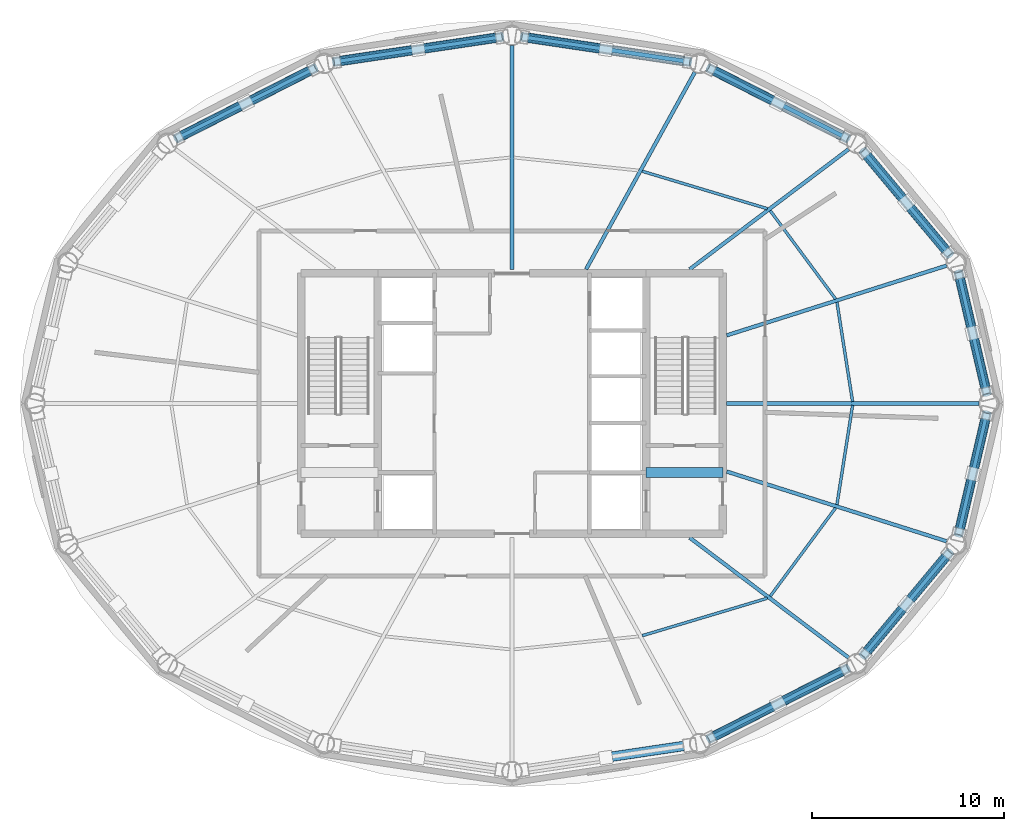
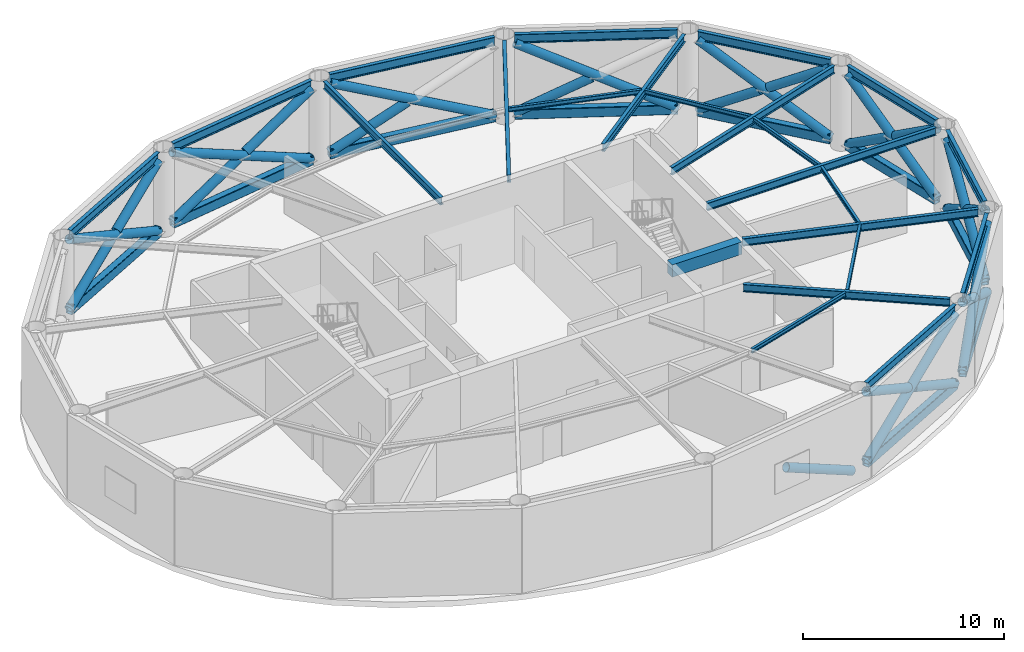
# One storey, part 2 of 7: 35 members, 23 beams.
"""IFC4 building model written with IfcOpenShell, lengths in metres."""

from ifc_helpers import new_model, si_unit, direction, frame, origin, origin_2d, place, context, subcontext, project, spatial, rectangle, hollow_rectangle, hollow_circle, i_section, extrude, material, material_profile, profile_set, type_object, element, save


model = new_model("IFC4")

# Units and contexts
model_context = context("Model", 3, precision=1e-05, world=origin(), true_north=direction((0.0, 1.0)))
body_context = subcontext(model_context, "Body", "Model", "MODEL_VIEW")
ifc_project = project(units=[si_unit("LENGTHUNIT", "METRE"), si_unit("AREAUNIT", "SQUARE_METRE"), si_unit("VOLUMEUNIT", "CUBIC_METRE"), si_unit("PLANEANGLEUNIT", "RADIAN"), si_unit("MASSUNIT", "GRAM", prefix="KILO")], contexts=[model_context])

# Site, building, storey
site_placement = place(None, origin())
site = spatial("IfcSite", under=ifc_project, at=site_placement, CompositionType="ELEMENT")
building_placement = place(site_placement, origin())
building = spatial("IfcBuilding", under=site, at=building_placement, Name="Sarneth Arch Tower", CompositionType="ELEMENT")
storey_placement = place(building_placement, frame((0.0, 0.0, 256.800048828125)))
storey = spatial("IfcBuildingStorey", under=building, at=storey_placement, Name="L66", CompositionType="ELEMENT", Elevation=256.800048828125)

# Beams
ifc_material_1 = material(Name="Steel S355", Category="steel")
ifc_material_profile_1 = material_profile(ifc_material_1, i_section(OverallWidth=0.14794921875, OverallDepth=0.26611328125, WebThickness=0.007568359375, FlangeThickness=0.012939453125, FilletRadius=0.012939453125, at=origin_2d()), Name="W250x44.8")
ifc_profile_set_1 = profile_set([ifc_material_profile_1], Name="Steel S355")
beam_type_1 = type_object("IfcBeamType", Name="BM-JOIST-250", PredefinedType="JOIST", material=ifc_profile_set_1)
beam_1_placement = place(storey_placement, frame((65.76416015625, 42.0947265625, 5.036865234375), z_axis=(-0.155393595615, 0.987852635995, 0.0), x_axis=(-0.987852635995, -0.155393595615, 0.0)))
element("IfcBeam", 1, at=beam_1_placement, inside=storey, type_object=beam_type_1, Name="L66 Secondary floor joist 01", PredefinedType="JOIST", context=body_context, shape_type="SweptSolid", body=[
    extrude(i_section(OverallWidth=0.14794921875, OverallDepth=0.26611328125, WebThickness=0.007568359375, FlangeThickness=0.012939453125, FilletRadius=0.012939453125, at=origin_2d()), origin(), (0.0, 0.0, 1.0), 5.244384765625),
])
beam_2_placement = place(storey_placement, frame((64.877197265625, 47.447509765625, 5.036865234375), z_axis=(-0.594853468946, 0.803834156081, 0.0), x_axis=(-0.803834156081, -0.594853468946, 0.0)))
element("IfcBeam", 2, at=beam_2_placement, inside=storey, type_object=beam_type_1, Name="L66 Secondary floor joist 02", PredefinedType="JOIST", context=body_context, shape_type="SweptSolid", body=[
    extrude(i_section(OverallWidth=0.14794921875, OverallDepth=0.26611328125, WebThickness=0.007568359375, FlangeThickness=0.012939453125, FilletRadius=0.012939453125, at=origin_2d()), origin(), (0.0, 0.0, 1.0), 5.72900390625),
])
for number, where, z_axis, x_axis, name in (
    (3, (61.320068359375, 52.157470703125, 5.036865234375), (-0.957984908347, 0.286818610589, 0.0), (-0.286818610589, -0.957984908347, 0.0), "L66 Secondary floor joist 03"),
    (4, (54.79248046875, 29.88818359375, 5.036865234375), (0.957984908347, 0.286818610589, 0.0), (-0.286818610589, 0.957984908347, 0.0), "L66 Secondary floor joist 14"),
):
    element("IfcBeam", number, at=place(storey_placement, frame(where, z_axis=z_axis, x_axis=x_axis)), inside=storey, type_object=beam_type_1, Name=name, PredefinedType="JOIST", context=body_context, shape_type="SweptSolid", body=[
        extrude(i_section(OverallWidth=0.14794921875, OverallDepth=0.26611328125, WebThickness=0.007568359375, FlangeThickness=0.012939453125, FilletRadius=0.012939453125, at=origin_2d()), origin(), (0.0, 0.0, 1.0), 6.81396484375),
    ])
beam_3_placement = place(storey_placement, frame((61.46923828125, 31.947265625, 5.036865234375), z_axis=(0.594853468946, 0.803834156081, 0.0), x_axis=(-0.803834156081, 0.594853468946, 0.0)))
element("IfcBeam", 5, at=beam_3_placement, inside=storey, type_object=beam_type_1, Name="L66 Secondary floor joist 15", PredefinedType="JOIST", context=body_context, shape_type="SweptSolid", body=[
    extrude(i_section(OverallWidth=0.14794921875, OverallDepth=0.26611328125, WebThickness=0.007568359375, FlangeThickness=0.012939453125, FilletRadius=0.012939453125, at=origin_2d()), origin(), (0.0, 0.0, 1.0), 5.72900390625),
])
beam_4_placement = place(storey_placement, frame((64.94921875, 36.724609375, 5.036865234375), z_axis=(0.155393595615, 0.987852635995, 0.0), x_axis=(-0.987852635995, 0.155393595615, 0.0)))
element("IfcBeam", 6, at=beam_4_placement, inside=storey, type_object=beam_type_1, Name="L66 Secondary floor joist 16", PredefinedType="JOIST", context=body_context, shape_type="SweptSolid", body=[
    extrude(i_section(OverallWidth=0.14794921875, OverallDepth=0.26611328125, WebThickness=0.007568359375, FlangeThickness=0.012939453125, FilletRadius=0.012939453125, at=origin_2d()), origin(), (0.0, 0.0, 1.0), 5.244384765625),
])
ifc_material_2 = material(Name="Concrete C50/60", Category="concrete")
ifc_material_profile_2 = material_profile(ifc_material_2, rectangle(XDim=0.5, YDim=0.75, at=origin_2d()), Name="RC-500x750")
ifc_profile_set_2 = profile_set([ifc_material_profile_2], Name="Concrete C50/60")
beam_type_2 = type_object("IfcBeamType", Name="BM-LINTEL-RC", PredefinedType="LINTEL", material=ifc_profile_set_2)
beam_5_placement = place(storey_placement, frame((55.0, 38.39990234375, 4.794921875), z_axis=(1.0, 0.0, 0.0), x_axis=(0.0, 1.0, 0.0)))
element("IfcBeam", 7, at=beam_5_placement, inside=storey, type_object=beam_type_2, Name="L66 Core coupling lintel E", PredefinedType="LINTEL", context=body_context, shape_type="SweptSolid", body=[
    extrude(rectangle(XDim=0.5, YDim=0.75, at=origin_2d()), origin(), (0.0, 0.0, 1.0), 4.0),
])
ifc_material_3 = material(Name="Steel S355", Category="steel")
ifc_material_profile_3 = material_profile(ifc_material_3, i_section(OverallWidth=0.19189453125, OverallDepth=0.462890625, WebThickness=0.010498046875, FlangeThickness=0.017578125, FilletRadius=0.01806640625, at=origin_2d()), Name="W460x89")
ifc_profile_set_3 = profile_set([ifc_material_profile_3], Name="Steel S355")
beam_type_3 = type_object("IfcBeamType", Name="BM-RAD-460B", PredefinedType="BEAM", material=ifc_profile_set_3)
beam_6_placement = place(storey_placement, frame((59.199951171875, 42.0, 4.9384765625), z_axis=(1.0, 0.0, 0.0), x_axis=(0.0, 1.0, 0.0)))
element("IfcBeam", 8, at=beam_6_placement, inside=storey, type_object=beam_type_3, Name="L66 Radial floor girder 01", PredefinedType="BEAM", context=body_context, shape_type="SweptSolid", body=[
    extrude(i_section(OverallWidth=0.19189453125, OverallDepth=0.462890625, WebThickness=0.010498046875, FlangeThickness=0.017578125, FilletRadius=0.01806640625, at=origin_2d()), origin(), (0.0, 0.0, 1.0), 13.158203125),
])
beam_7_placement = place(storey_placement, frame((59.199951171875, 45.5517578125, 4.9384765625), z_axis=(0.953216092177, 0.302289731243, 0.0), x_axis=(-0.302289731243, 0.953216092177, 0.0)))
element("IfcBeam", 9, at=beam_7_placement, inside=storey, type_object=beam_type_3, Name="L66 Radial floor girder 02", PredefinedType="BEAM", context=body_context, shape_type="SweptSolid", body=[
    extrude(i_section(OverallWidth=0.19189453125, OverallDepth=0.462890625, WebThickness=0.010498046875, FlangeThickness=0.017578125, FilletRadius=0.01806640625, at=origin_2d()), origin(), (0.0, 0.0, 1.0), 12.031494140625),
])
beam_8_placement = place(storey_placement, frame((57.26806640625, 49.0, 4.9384765625), z_axis=(0.79797308069, 0.60269309146, 0.0), x_axis=(-0.60269309146, 0.79797308069, 0.0)))
element("IfcBeam", 10, at=beam_8_placement, inside=storey, type_object=beam_type_3, Name="L66 Radial floor girder 03", PredefinedType="BEAM", context=body_context, shape_type="SweptSolid", body=[
    extrude(i_section(OverallWidth=0.19189453125, OverallDepth=0.462890625, WebThickness=0.010498046875, FlangeThickness=0.017578125, FilletRadius=0.01806640625, at=origin_2d()), origin(), (0.0, 0.0, 1.0), 10.38671875),
])
beam_9_placement = place(storey_placement, frame((51.86376953125, 49.0, 4.9384765625), z_axis=(0.483225760768, 0.875495781903, 0.0), x_axis=(-0.875495781903, 0.483225760768, 0.0)))
element("IfcBeam", 11, at=beam_9_placement, inside=storey, type_object=beam_type_3, Name="L66 Radial floor girder 04", PredefinedType="BEAM", context=body_context, shape_type="SweptSolid", body=[
    extrude(i_section(OverallWidth=0.19189453125, OverallDepth=0.462890625, WebThickness=0.010498046875, FlangeThickness=0.017578125, FilletRadius=0.01806640625, at=origin_2d()), origin(), (0.0, 0.0, 1.0), 11.740478515625),
])
beam_10_placement = place(storey_placement, frame((48.0, 49.0, 4.9384765625), z_axis=(0.0, 1.0, 0.0), x_axis=(-1.0, 0.0, 0.0)))
element("IfcBeam", 12, at=beam_10_placement, inside=storey, type_object=beam_type_3, Name="L66 Radial floor girder 05", PredefinedType="BEAM", context=body_context, shape_type="SweptSolid", body=[
    extrude(i_section(OverallWidth=0.19189453125, OverallDepth=0.462890625, WebThickness=0.010498046875, FlangeThickness=0.017578125, FilletRadius=0.01806640625, at=origin_2d()), origin(), (0.0, 0.0, 1.0), 11.675048828125),
])
beam_11_placement = place(storey_placement, frame((57.26806640625, 35.0, 4.9384765625), z_axis=(0.79797308069, -0.60269309146, 0.0), x_axis=(0.60269309146, 0.79797308069, 0.0)))
element("IfcBeam", 13, at=beam_11_placement, inside=storey, type_object=beam_type_3, Name="L66 Radial floor girder 15", PredefinedType="BEAM", context=body_context, shape_type="SweptSolid", body=[
    extrude(i_section(OverallWidth=0.19189453125, OverallDepth=0.462890625, WebThickness=0.010498046875, FlangeThickness=0.017578125, FilletRadius=0.01806640625, at=origin_2d()), origin(), (0.0, 0.0, 1.0), 10.38671875),
])
beam_12_placement = place(storey_placement, frame((59.199951171875, 38.4482421875, 4.9384765625), z_axis=(0.953216092177, -0.302289731243, 0.0), x_axis=(0.302289731243, 0.953216092177, 0.0)))
element("IfcBeam", 14, at=beam_12_placement, inside=storey, type_object=beam_type_3, Name="L66 Radial floor girder 16", PredefinedType="BEAM", context=body_context, shape_type="SweptSolid", body=[
    extrude(i_section(OverallWidth=0.19189453125, OverallDepth=0.462890625, WebThickness=0.010498046875, FlangeThickness=0.017578125, FilletRadius=0.01806640625, at=origin_2d()), origin(), (0.0, 0.0, 1.0), 12.031494140625),
])
ifc_material_4 = material(Name="Steel S355", Category="steel")
ifc_material_profile_4 = material_profile(ifc_material_4, i_section(OverallWidth=0.2109375, OverallDepth=0.5390625, WebThickness=0.01171875, FlangeThickness=0.018798828125, FilletRadius=0.01806640625, at=origin_2d()), Name="W530x109")
ifc_profile_set_4 = profile_set([ifc_material_profile_4], Name="Steel S355")
beam_type_4 = type_object("IfcBeamType", Name="BM-RAD-530B", PredefinedType="BEAM", material=ifc_profile_set_4)
beam_13_placement = place(storey_placement, frame((72.763916015625, 42.51123046875, 4.900390625), z_axis=(-0.227230803906, 0.973840932471, 0.0), x_axis=(-0.973840932471, -0.227230803906, 0.0)))
element("IfcBeam", 15, at=beam_13_placement, inside=storey, type_object=beam_type_4, Name="L66 Perimeter spandrel beam 01", PredefinedType="BEAM", context=body_context, shape_type="SweptSolid", body=[
    extrude(i_section(OverallWidth=0.2109375, OverallDepth=0.5390625, WebThickness=0.01171875, FlangeThickness=0.018798828125, FilletRadius=0.01806640625, at=origin_2d()), origin(), (0.0, 0.0, 1.0), 6.494873046875),
])
beam_14_placement = place(storey_placement, frame((70.83251953125, 49.750732421875, 4.900390625), z_axis=(-0.640364654985, 0.76807103099, 0.0), x_axis=(-0.76807103099, -0.640364654985, 0.0)))
element("IfcBeam", 16, at=beam_14_placement, inside=storey, type_object=beam_type_4, Name="L66 Perimeter spandrel beam 02", PredefinedType="BEAM", context=body_context, shape_type="SweptSolid", body=[
    extrude(i_section(OverallWidth=0.2109375, OverallDepth=0.5390625, WebThickness=0.01171875, FlangeThickness=0.018798828125, FilletRadius=0.01806640625, at=origin_2d()), origin(), (0.0, 0.0, 1.0), 7.06005859375),
])
beam_15_placement = place(storey_placement, frame((65.50732421875, 55.814453125, 4.900390625), z_axis=(-0.891368271482, 0.453279830342, 0.0), x_axis=(-0.453279830342, -0.891368271482, 0.0)))
element("IfcBeam", 17, at=beam_15_placement, inside=storey, type_object=beam_type_4, Name="L66 Perimeter spandrel beam 03", PredefinedType="BEAM", context=body_context, shape_type="SweptSolid", body=[
    extrude(i_section(OverallWidth=0.2109375, OverallDepth=0.5390625, WebThickness=0.01171875, FlangeThickness=0.018798828125, FilletRadius=0.01806640625, at=origin_2d()), origin(), (0.0, 0.0, 1.0), 8.1318359375),
])
for number, where, z_axis, x_axis, name in (
    (18, (57.271484375, 59.81591796875, 4.900390625), (-0.989038715098, 0.147656425652, 0.0), (-0.147656425652, -0.989038715098, 0.0), "L66 Perimeter spandrel beam 04"),
    (19, (47.480712890625, 61.12255859375, 4.900390625), (-0.989038715098, -0.147656425652, 0.0), (0.147656425652, -0.989038715098, 0.0), "L66 Perimeter spandrel beam 05"),
):
    element("IfcBeam", number, at=place(storey_placement, frame(where, z_axis=z_axis, x_axis=x_axis)), inside=storey, type_object=beam_type_4, Name=name, PredefinedType="BEAM", context=body_context, shape_type="SweptSolid", body=[
        extrude(i_section(OverallWidth=0.2109375, OverallDepth=0.5390625, WebThickness=0.01171875, FlangeThickness=0.018798828125, FilletRadius=0.01806640625, at=origin_2d()), origin(), (0.0, 0.0, 1.0), 8.84912109375),
    ])
for number, where, z_axis, x_axis, name in (
    (20, (37.7412109375, 59.50048828125, 4.900390625), (-0.891368271482, -0.453279830342, 0.0), (0.453279830342, -0.891368271482, 0.0), "L66 Perimeter spandrel beam 06"),
    (21, (58.2587890625, 24.49951171875, 4.900390625), (0.891368271482, 0.453279830342, 0.0), (-0.453279830342, 0.891368271482, 0.0), "L66 Perimeter spandrel beam 14"),
):
    element("IfcBeam", number, at=place(storey_placement, frame(where, z_axis=z_axis, x_axis=x_axis)), inside=storey, type_object=beam_type_4, Name=name, PredefinedType="BEAM", context=body_context, shape_type="SweptSolid", body=[
        extrude(i_section(OverallWidth=0.2109375, OverallDepth=0.5390625, WebThickness=0.01171875, FlangeThickness=0.018798828125, FilletRadius=0.01806640625, at=origin_2d()), origin(), (0.0, 0.0, 1.0), 8.1318359375),
    ])
beam_16_placement = place(storey_placement, frame((66.3115234375, 28.82666015625, 4.900390625), z_axis=(0.640364654985, 0.76807103099, 0.0), x_axis=(-0.76807103099, 0.640364654985, 0.0)))
element("IfcBeam", 22, at=beam_16_placement, inside=storey, type_object=beam_type_4, Name="L66 Perimeter spandrel beam 15", PredefinedType="BEAM", context=body_context, shape_type="SweptSolid", body=[
    extrude(i_section(OverallWidth=0.2109375, OverallDepth=0.5390625, WebThickness=0.01171875, FlangeThickness=0.018798828125, FilletRadius=0.01806640625, at=origin_2d()), origin(), (0.0, 0.0, 1.0), 7.06005859375),
])
beam_17_placement = place(storey_placement, frame((71.2880859375, 35.163818359375, 4.900390625), z_axis=(0.227230803906, 0.973840932471, 0.0), x_axis=(-0.973840932471, 0.227230803906, 0.0)))
element("IfcBeam", 23, at=beam_17_placement, inside=storey, type_object=beam_type_4, Name="L66 Perimeter spandrel beam 16", PredefinedType="BEAM", context=body_context, shape_type="SweptSolid", body=[
    extrude(i_section(OverallWidth=0.2109375, OverallDepth=0.5390625, WebThickness=0.01171875, FlangeThickness=0.018798828125, FilletRadius=0.01806640625, at=origin_2d()), origin(), (0.0, 0.0, 1.0), 6.494873046875),
])

# Members
ifc_material_5 = material(Name="Steel S355", Category="steel")
ifc_material_profile_5 = material_profile(ifc_material_5, hollow_rectangle(XDim=0.39990234375, YDim=0.60009765625, WallThickness=0.02197265625, InnerFilletRadius=0.032958984375, OuterFilletRadius=0.054931640625, at=origin_2d()), Name="RHS600x400x22")
ifc_profile_set_5 = profile_set([ifc_material_profile_5], Name="Steel S355")
member_type_1 = type_object("IfcMemberType", Name="MEM-BELT-CHORD", PredefinedType="CHORD", material=ifc_profile_set_5)
member_1_placement = place(storey_placement, frame((72.763916015625, 42.51123046875, 0.349853515625), z_axis=(-0.227230803906, 0.973840932471, 0.0), x_axis=(-0.973840932471, -0.227230803906, 0.0)))
element("IfcMember", 24, at=member_1_placement, inside=storey, type_object=member_type_1, Name="L66 Ring belt bottom chord 01", PredefinedType="CHORD", context=body_context, shape_type="SweptSolid", body=[
    extrude(hollow_rectangle(XDim=0.39990234375, YDim=0.60009765625, WallThickness=0.02197265625, InnerFilletRadius=0.032958984375, OuterFilletRadius=0.054931640625, at=origin_2d()), origin(), (0.0, 0.0, 1.0), 6.494873046875),
])
member_2_placement = place(storey_placement, frame((70.83251953125, 49.750732421875, 0.349853515625), z_axis=(-0.640364654985, 0.76807103099, 0.0), x_axis=(-0.76807103099, -0.640364654985, 0.0)))
element("IfcMember", 25, at=member_2_placement, inside=storey, type_object=member_type_1, Name="L66 Ring belt bottom chord 02", PredefinedType="CHORD", context=body_context, shape_type="SweptSolid", body=[
    extrude(hollow_rectangle(XDim=0.39990234375, YDim=0.60009765625, WallThickness=0.02197265625, InnerFilletRadius=0.032958984375, OuterFilletRadius=0.054931640625, at=origin_2d()), origin(), (0.0, 0.0, 1.0), 7.06005859375),
])
member_3_placement = place(storey_placement, frame((65.50732421875, 55.814453125, 0.349853515625), z_axis=(-0.891368271482, 0.453279830342, 0.0), x_axis=(-0.453279830342, -0.891368271482, 0.0)))
element("IfcMember", 26, at=member_3_placement, inside=storey, type_object=member_type_1, Name="L66 Ring belt bottom chord 03", PredefinedType="CHORD", context=body_context, shape_type="SweptSolid", body=[
    extrude(hollow_rectangle(XDim=0.39990234375, YDim=0.60009765625, WallThickness=0.02197265625, InnerFilletRadius=0.032958984375, OuterFilletRadius=0.054931640625, at=origin_2d()), origin(), (0.0, 0.0, 1.0), 8.1318359375),
])
for number, where, z_axis, x_axis, name in (
    (27, (57.271484375, 59.81591796875, 0.349853515625), (-0.989038715098, 0.147656425652, 0.0), (-0.147656425652, -0.989038715098, 0.0), "L66 Ring belt bottom chord 04"),
    (28, (47.480712890625, 61.12255859375, 0.349853515625), (-0.989038715098, -0.147656425652, 0.0), (0.147656425652, -0.989038715098, 0.0), "L66 Ring belt bottom chord 05"),
):
    element("IfcMember", number, at=place(storey_placement, frame(where, z_axis=z_axis, x_axis=x_axis)), inside=storey, type_object=member_type_1, Name=name, PredefinedType="CHORD", context=body_context, shape_type="SweptSolid", body=[
        extrude(hollow_rectangle(XDim=0.39990234375, YDim=0.60009765625, WallThickness=0.02197265625, InnerFilletRadius=0.032958984375, OuterFilletRadius=0.054931640625, at=origin_2d()), origin(), (0.0, 0.0, 1.0), 8.84912109375),
    ])
for number, where, z_axis, x_axis, name in (
    (29, (37.7412109375, 59.50048828125, 0.349853515625), (-0.891368271482, -0.453279830342, 0.0), (0.453279830342, -0.891368271482, 0.0), "L66 Ring belt bottom chord 06"),
    (30, (58.2587890625, 24.49951171875, 0.349853515625), (0.891368271482, 0.453279830342, 0.0), (-0.453279830342, 0.891368271482, 0.0), "L66 Ring belt bottom chord 14"),
):
    element("IfcMember", number, at=place(storey_placement, frame(where, z_axis=z_axis, x_axis=x_axis)), inside=storey, type_object=member_type_1, Name=name, PredefinedType="CHORD", context=body_context, shape_type="SweptSolid", body=[
        extrude(hollow_rectangle(XDim=0.39990234375, YDim=0.60009765625, WallThickness=0.02197265625, InnerFilletRadius=0.032958984375, OuterFilletRadius=0.054931640625, at=origin_2d()), origin(), (0.0, 0.0, 1.0), 8.1318359375),
    ])
member_4_placement = place(storey_placement, frame((66.3115234375, 28.82666015625, 0.349853515625), z_axis=(0.640364654985, 0.76807103099, 0.0), x_axis=(-0.76807103099, 0.640364654985, 0.0)))
element("IfcMember", 31, at=member_4_placement, inside=storey, type_object=member_type_1, Name="L66 Ring belt bottom chord 15", PredefinedType="CHORD", context=body_context, shape_type="SweptSolid", body=[
    extrude(hollow_rectangle(XDim=0.39990234375, YDim=0.60009765625, WallThickness=0.02197265625, InnerFilletRadius=0.032958984375, OuterFilletRadius=0.054931640625, at=origin_2d()), origin(), (0.0, 0.0, 1.0), 7.06005859375),
])
member_5_placement = place(storey_placement, frame((71.2880859375, 35.163818359375, 0.349853515625), z_axis=(0.227230803906, 0.973840932471, 0.0), x_axis=(-0.973840932471, 0.227230803906, 0.0)))
element("IfcMember", 32, at=member_5_placement, inside=storey, type_object=member_type_1, Name="L66 Ring belt bottom chord 16", PredefinedType="CHORD", context=body_context, shape_type="SweptSolid", body=[
    extrude(hollow_rectangle(XDim=0.39990234375, YDim=0.60009765625, WallThickness=0.02197265625, InnerFilletRadius=0.032958984375, OuterFilletRadius=0.054931640625, at=origin_2d()), origin(), (0.0, 0.0, 1.0), 6.494873046875),
])
ifc_material_6 = material(Name="Steel S355", Category="steel")
ifc_material_profile_6 = material_profile(ifc_material_6, hollow_circle(Radius=0.25390625, WallThickness=0.01611328125, at=origin_2d()), Name="CHS508x16")
ifc_profile_set_6 = profile_set([ifc_material_profile_6], Name="Steel S355")
member_type_2 = type_object("IfcMemberType", Name="MEM-BELT-DIAG2", PredefinedType="BRACE", material=ifc_profile_set_6)
member_6_placement = place(storey_placement, frame((72.763916015625, 42.51123046875, 0.349853515625), z_axis=(-0.189992734187, 0.814250085126, 0.548543124858), x_axis=(-0.973840932471, -0.227230803906, 0.0)))
element("IfcMember", 33, at=member_6_placement, inside=storey, type_object=member_type_2, Name="L66 Ring belt continuous diagonal A01", PredefinedType="BRACE", context=body_context, shape_type="SweptSolid", body=[
    extrude(hollow_circle(Radius=0.25390625, WallThickness=0.01611328125, at=origin_2d()), origin(), (0.0, 0.0, 1.0), 7.767822265625),
])
for number, where, z_axis, x_axis, name in (
    (34, (71.2880859375, 48.836181640625, 0.349853515625), (0.190002038196, -0.814227263403, 0.548573777183), (0.973837060523, 0.227247397241, 0.0), "L66 Ring belt split diagonal B1-01"),
    (35, (72.073486328125, 45.47021484375, 2.61767578125), (0.189998646236, -0.814279912438, 0.548496799105), (0.973841209742, 0.227229615606, 0.0), "L66 Ring belt split diagonal B2-01"),
):
    element("IfcMember", number, at=place(storey_placement, frame(where, z_axis=z_axis, x_axis=x_axis)), inside=storey, type_object=member_type_2, Name=name, PredefinedType="BRACE", context=body_context, shape_type="SweptSolid", body=[
        extrude(hollow_circle(Radius=0.25390625, WallThickness=0.01611328125, at=origin_2d()), origin(), (0.0, 0.0, 1.0), 3.6337890625),
    ])
member_7_placement = place(storey_placement, frame((70.83251953125, 49.750732421875, 0.349853515625), z_axis=(-0.548250978468, 0.657587346514, 0.516720181834), x_axis=(-0.76807103099, -0.640364654985, 0.0)))
element("IfcMember", 36, at=member_7_placement, inside=storey, type_object=member_type_2, Name="L66 Ring belt continuous diagonal A02", PredefinedType="BRACE", context=body_context, shape_type="SweptSolid", body=[
    extrude(hollow_circle(Radius=0.25390625, WallThickness=0.01611328125, at=origin_2d()), origin(), (0.0, 0.0, 1.0), 8.246337890625),
])
member_8_placement = place(storey_placement, frame((66.3115234375, 55.17333984375, 0.349853515625), z_axis=(0.548260879091, -0.657560070209, 0.516744387996), x_axis=(0.768052278246, 0.640387146874, 0.0)))
element("IfcMember", 37, at=member_8_placement, inside=storey, type_object=member_type_2, Name="L66 Ring belt split diagonal B1-02", PredefinedType="BRACE", context=body_context, shape_type="SweptSolid", body=[
    extrude(hollow_circle(Radius=0.25390625, WallThickness=0.01611328125, at=origin_2d()), origin(), (0.0, 0.0, 1.0), 3.873291015625),
])
member_9_placement = place(storey_placement, frame((68.708984375, 52.297607421875, 2.609619140625), z_axis=(0.548278736795, -0.657581487956, 0.516698184123), x_axis=(0.768052278246, 0.640387146874, 0.0)))
element("IfcMember", 38, at=member_9_placement, inside=storey, type_object=member_type_2, Name="L66 Ring belt split diagonal B2-02", PredefinedType="BRACE", context=body_context, shape_type="SweptSolid", body=[
    extrude(hollow_circle(Radius=0.25390625, WallThickness=0.01611328125, at=origin_2d()), origin(), (0.0, 0.0, 1.0), 3.873046875),
])
member_10_placement = place(storey_placement, frame((65.50732421875, 55.814453125, 0.349853515625), z_axis=(-0.789545871905, 0.401500962412, 0.464127453767), x_axis=(-0.453279830342, -0.891368271482, 0.0)))
element("IfcMember", 39, at=member_10_placement, inside=storey, type_object=member_type_2, Name="L66 Ring belt continuous diagonal A03", PredefinedType="BRACE", context=body_context, shape_type="SweptSolid", body=[
    extrude(hollow_circle(Radius=0.25390625, WallThickness=0.01611328125, at=origin_2d()), origin(), (0.0, 0.0, 1.0), 9.1806640625),
])
member_11_placement = place(storey_placement, frame((58.2587890625, 59.50048828125, 0.349853515625), z_axis=(0.789516929636, -0.401508395821, 0.464170255298), x_axis=(0.453299700411, 0.891358166849, 0.0)))
element("IfcMember", 40, at=member_11_placement, inside=storey, type_object=member_type_2, Name="L66 Ring belt split diagonal B1-03", PredefinedType="BRACE", context=body_context, shape_type="SweptSolid", body=[
    extrude(hollow_circle(Radius=0.25390625, WallThickness=0.01611328125, at=origin_2d()), origin(), (0.0, 0.0, 1.0), 4.34033203125),
])
member_12_placement = place(storey_placement, frame((57.271484375, 59.81591796875, 0.349853515625), z_axis=(-0.891115204761, 0.133037144017, 0.433837308396), x_axis=(-0.147656425652, -0.989038715098, 0.0)))
element("IfcMember", 41, at=member_12_placement, inside=storey, type_object=member_type_2, Name="L66 Ring belt continuous diagonal A04", PredefinedType="BRACE", context=body_context, shape_type="SweptSolid", body=[
    extrude(hollow_circle(Radius=0.25390625, WallThickness=0.01611328125, at=origin_2d()), origin(), (0.0, 0.0, 1.0), 9.821533203125),
])
member_13_placement = place(storey_placement, frame((48.519287109375, 61.12255859375, 0.349853515625), z_axis=(0.891098621297, -0.133046702216, 0.433868438761), x_axis=(0.147669491046, 0.98903676444, 0.0)))
element("IfcMember", 42, at=member_13_placement, inside=storey, type_object=member_type_2, Name="L66 Ring belt split diagonal B1-04", PredefinedType="BRACE", context=body_context, shape_type="SweptSolid", body=[
    extrude(hollow_circle(Radius=0.25390625, WallThickness=0.01611328125, at=origin_2d()), origin(), (0.0, 0.0, 1.0), 4.660888671875),
])
member_14_placement = place(storey_placement, frame((47.480712890625, 61.12255859375, 0.349853515625), z_axis=(-0.891115204761, -0.133037144017, 0.433837308396), x_axis=(0.147656425652, -0.989038715098, 0.0)))
element("IfcMember", 43, at=member_14_placement, inside=storey, type_object=member_type_2, Name="L66 Ring belt continuous diagonal A05", PredefinedType="BRACE", context=body_context, shape_type="SweptSolid", body=[
    extrude(hollow_circle(Radius=0.25390625, WallThickness=0.01611328125, at=origin_2d()), origin(), (0.0, 0.0, 1.0), 9.821533203125),
])
for number, where, z_axis, x_axis, name in (
    (44, (38.728515625, 59.81591796875, 0.349853515625), (0.891098621297, 0.133046702216, 0.433868438761), (-0.147669491046, 0.98903676444, 0.0), "L66 Ring belt split diagonal B1-05"),
    (45, (43.327392578125, 60.50244140625, 2.5888671875), (0.891118872126, 0.133049725794, 0.433825916938), (-0.147669491046, 0.98903676444, 0.0), "L66 Ring belt split diagonal B2-05"),
):
    element("IfcMember", number, at=place(storey_placement, frame(where, z_axis=z_axis, x_axis=x_axis)), inside=storey, type_object=member_type_2, Name=name, PredefinedType="BRACE", context=body_context, shape_type="SweptSolid", body=[
        extrude(hollow_circle(Radius=0.25390625, WallThickness=0.01611328125, at=origin_2d()), origin(), (0.0, 0.0, 1.0), 4.660888671875),
    ])
member_15_placement = place(storey_placement, frame((37.7412109375, 59.50048828125, 0.349853515625), z_axis=(-0.789545871905, -0.401500962412, 0.464127453767), x_axis=(0.453279830342, -0.891368271482, 0.0)))
element("IfcMember", 46, at=member_15_placement, inside=storey, type_object=member_type_2, Name="L66 Ring belt continuous diagonal A06", PredefinedType="BRACE", context=body_context, shape_type="SweptSolid", body=[
    extrude(hollow_circle(Radius=0.25390625, WallThickness=0.01611328125, at=origin_2d()), origin(), (0.0, 0.0, 1.0), 9.1806640625),
])
member_16_placement = place(storey_placement, frame((30.49267578125, 55.814453125, 0.349853515625), z_axis=(0.789538115303, 0.401490565437, 0.464149642194), x_axis=(-0.453274042271, 0.891371214816, 0.0)))
element("IfcMember", 47, at=member_16_placement, inside=storey, type_object=member_type_2, Name="L66 Ring belt split diagonal B1-06", PredefinedType="BRACE", context=body_context, shape_type="SweptSolid", body=[
    extrude(hollow_circle(Radius=0.25390625, WallThickness=0.01611328125, at=origin_2d()), origin(), (0.0, 0.0, 1.0), 4.340576171875),
])
member_17_placement = place(storey_placement, frame((34.314453125, 57.7578125, 2.596435546875), z_axis=(0.789537542937, 0.401518878703, 0.464126123309), x_axis=(-0.453299700411, 0.891358166849, 0.0)))
element("IfcMember", 48, at=member_17_placement, inside=storey, type_object=member_type_2, Name="L66 Ring belt split diagonal B2-06", PredefinedType="BRACE", context=body_context, shape_type="SweptSolid", body=[
    extrude(hollow_circle(Radius=0.25390625, WallThickness=0.01611328125, at=origin_2d()), origin(), (0.0, 0.0, 1.0), 4.340087890625),
])
member_18_placement = place(storey_placement, frame((57.271484375, 24.18408203125, 0.349853515625), z_axis=(-0.891098621297, -0.133046702216, 0.433868438761), x_axis=(0.147669491046, -0.98903676444, 0.0)))
element("IfcMember", 49, at=member_18_placement, inside=storey, type_object=member_type_2, Name="L66 Ring belt split diagonal B1-13", PredefinedType="BRACE", context=body_context, shape_type="SweptSolid", body=[
    extrude(hollow_circle(Radius=0.25390625, WallThickness=0.01611328125, at=origin_2d()), origin(), (0.0, 0.0, 1.0), 4.660888671875),
])
member_19_placement = place(storey_placement, frame((58.2587890625, 24.49951171875, 0.349853515625), z_axis=(0.789545871905, 0.401500962412, 0.464127453767), x_axis=(-0.453279830342, 0.891368271482, 0.0)))
element("IfcMember", 50, at=member_19_placement, inside=storey, type_object=member_type_2, Name="L66 Ring belt continuous diagonal A14", PredefinedType="BRACE", context=body_context, shape_type="SweptSolid", body=[
    extrude(hollow_circle(Radius=0.25390625, WallThickness=0.01611328125, at=origin_2d()), origin(), (0.0, 0.0, 1.0), 9.1806640625),
])
member_20_placement = place(storey_placement, frame((65.50732421875, 28.185546875, 0.349853515625), z_axis=(-0.789538115303, -0.401490565437, 0.464149642194), x_axis=(0.453274042271, -0.891371214816, 0.0)))
element("IfcMember", 51, at=member_20_placement, inside=storey, type_object=member_type_2, Name="L66 Ring belt split diagonal B1-14", PredefinedType="BRACE", context=body_context, shape_type="SweptSolid", body=[
    extrude(hollow_circle(Radius=0.25390625, WallThickness=0.01611328125, at=origin_2d()), origin(), (0.0, 0.0, 1.0), 4.340576171875),
])
member_21_placement = place(storey_placement, frame((61.685546875, 26.2421875, 2.596435546875), z_axis=(-0.789537542937, -0.401518878703, 0.464126123309), x_axis=(0.453299700411, -0.891358166849, 0.0)))
element("IfcMember", 52, at=member_21_placement, inside=storey, type_object=member_type_2, Name="L66 Ring belt split diagonal B2-14", PredefinedType="BRACE", context=body_context, shape_type="SweptSolid", body=[
    extrude(hollow_circle(Radius=0.25390625, WallThickness=0.01611328125, at=origin_2d()), origin(), (0.0, 0.0, 1.0), 4.340087890625),
])
member_22_placement = place(storey_placement, frame((66.3115234375, 28.82666015625, 0.349853515625), z_axis=(0.548250978468, 0.657587346514, 0.516720181834), x_axis=(-0.76807103099, 0.640364654985, 0.0)))
element("IfcMember", 53, at=member_22_placement, inside=storey, type_object=member_type_2, Name="L66 Ring belt continuous diagonal A15", PredefinedType="BRACE", context=body_context, shape_type="SweptSolid", body=[
    extrude(hollow_circle(Radius=0.25390625, WallThickness=0.01611328125, at=origin_2d()), origin(), (0.0, 0.0, 1.0), 8.246337890625),
])
member_23_placement = place(storey_placement, frame((70.83251953125, 34.249267578125, 0.349853515625), z_axis=(-0.548260879091, -0.657560070209, 0.516744387996), x_axis=(0.768052278246, -0.640387146874, 0.0)))
element("IfcMember", 54, at=member_23_placement, inside=storey, type_object=member_type_2, Name="L66 Ring belt split diagonal B1-15", PredefinedType="BRACE", context=body_context, shape_type="SweptSolid", body=[
    extrude(hollow_circle(Radius=0.25390625, WallThickness=0.01611328125, at=origin_2d()), origin(), (0.0, 0.0, 1.0), 3.873291015625),
])
member_24_placement = place(storey_placement, frame((68.43505859375, 31.37353515625, 2.609619140625), z_axis=(-0.548278736795, -0.657581487956, 0.516698184123), x_axis=(0.768052278246, -0.640387146874, 0.0)))
element("IfcMember", 55, at=member_24_placement, inside=storey, type_object=member_type_2, Name="L66 Ring belt split diagonal B2-15", PredefinedType="BRACE", context=body_context, shape_type="SweptSolid", body=[
    extrude(hollow_circle(Radius=0.25390625, WallThickness=0.01611328125, at=origin_2d()), origin(), (0.0, 0.0, 1.0), 3.873046875),
])
member_25_placement = place(storey_placement, frame((71.2880859375, 35.163818359375, 0.349853515625), z_axis=(0.189992734187, 0.814250085126, 0.548543124858), x_axis=(-0.973840932471, 0.227230803906, 0.0)))
element("IfcMember", 56, at=member_25_placement, inside=storey, type_object=member_type_2, Name="L66 Ring belt continuous diagonal A16", PredefinedType="BRACE", context=body_context, shape_type="SweptSolid", body=[
    extrude(hollow_circle(Radius=0.25390625, WallThickness=0.01611328125, at=origin_2d()), origin(), (0.0, 0.0, 1.0), 7.767822265625),
])
member_26_placement = place(storey_placement, frame((72.763916015625, 41.48876953125, 0.349853515625), z_axis=(-0.18999164462, -0.814249905512, 0.548543768854), x_axis=(0.973841209742, -0.227229615606, 0.0)))
element("IfcMember", 57, at=member_26_placement, inside=storey, type_object=member_type_2, Name="L66 Ring belt split diagonal B1-16", PredefinedType="BRACE", context=body_context, shape_type="SweptSolid", body=[
    extrude(hollow_circle(Radius=0.25390625, WallThickness=0.01611328125, at=origin_2d()), origin(), (0.0, 0.0, 1.0), 3.634033203125),
])
member_27_placement = place(storey_placement, frame((71.978515625, 38.12255859375, 2.61767578125), z_axis=(-0.190009040962, -0.814257272778, 0.548526807076), x_axis=(0.973837060523, -0.227247397241, 0.0)))
element("IfcMember", 58, at=member_27_placement, inside=storey, type_object=member_type_2, Name="L66 Ring belt split diagonal B2-16", PredefinedType="BRACE", context=body_context, shape_type="SweptSolid", body=[
    extrude(hollow_circle(Radius=0.25390625, WallThickness=0.01611328125, at=origin_2d()), origin(), (0.0, 0.0, 1.0), 3.6337890625),
])

save(model, "model.ifc")
